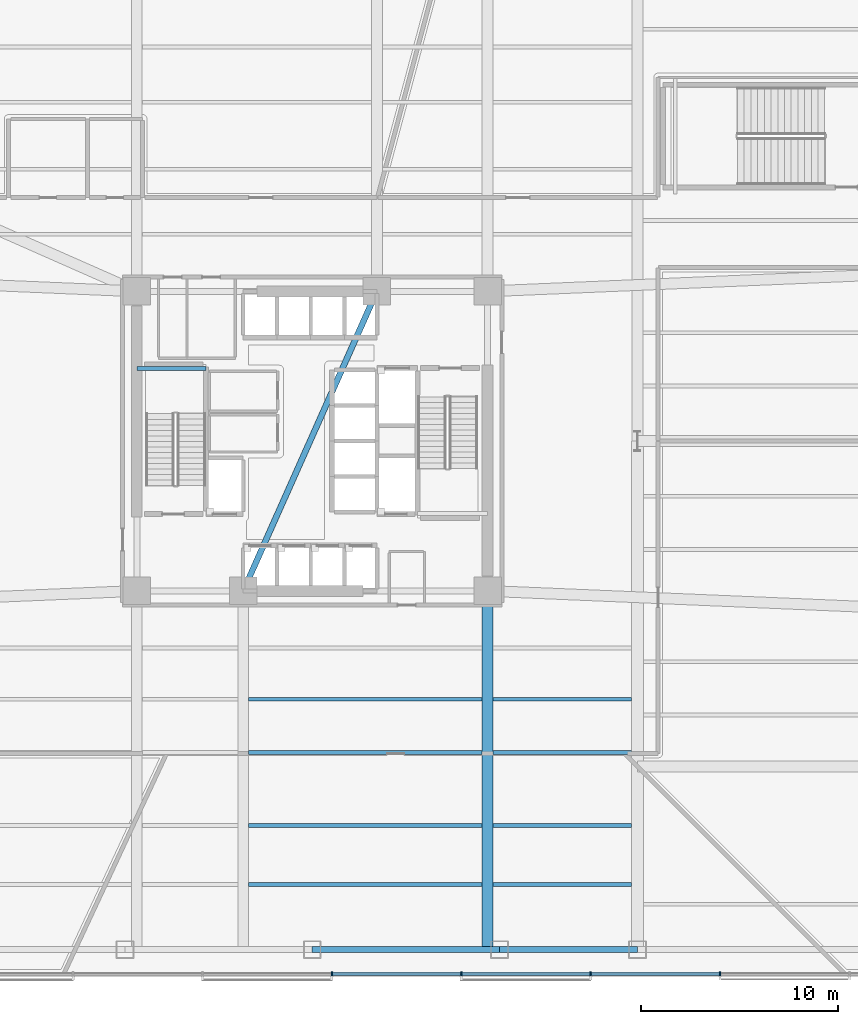
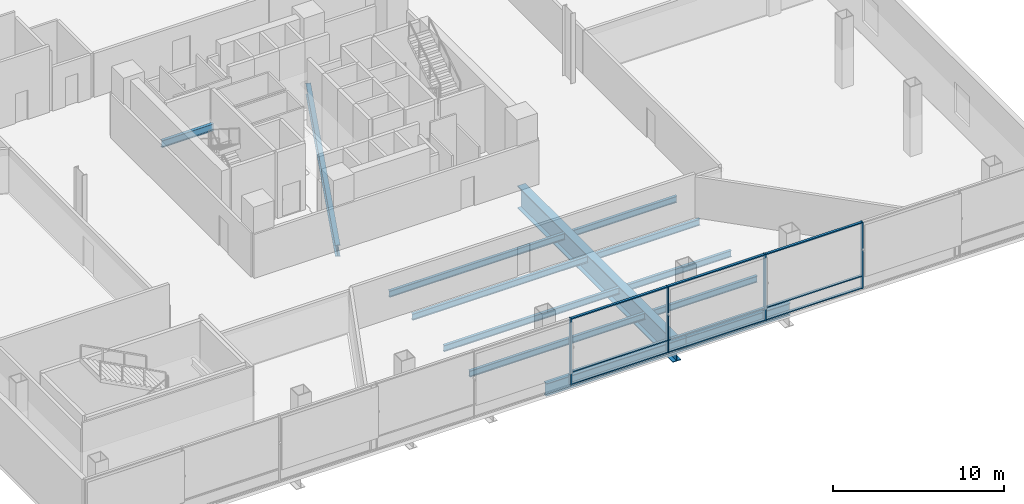
# One storey, part 3 of 24: 13 beams, 13 members, 1 element without a shape of its own.
"""IFC4 building model written with IfcOpenShell, lengths in metres."""

from ifc_helpers import new_model, si_unit, direction, frame, origin, origin_2d, place, context, subcontext, project, spatial, rectangle, i_section, extrude, material, layer, layer_set, material_profile, profile_set, type_object, element, aggregate, save


model = new_model("IFC4")

# Units and contexts
model_context = context("Model", 3, precision=1e-05, world=origin(), true_north=direction((0.0, 1.0)))
body_context = subcontext(model_context, "Body", "Model", "MODEL_VIEW")
ifc_project = project(units=[si_unit("LENGTHUNIT", "METRE"), si_unit("AREAUNIT", "SQUARE_METRE"), si_unit("VOLUMEUNIT", "CUBIC_METRE"), si_unit("PLANEANGLEUNIT", "RADIAN"), si_unit("MASSUNIT", "GRAM", prefix="KILO")], contexts=[model_context])

# Site, building, storey
site_placement = place(None, origin())
site = spatial("IfcSite", under=ifc_project, at=site_placement, CompositionType="ELEMENT")
building_placement = place(site_placement, origin())
building = spatial("IfcBuilding", under=site, at=building_placement, Name="Tharavind Bronze Gate", CompositionType="ELEMENT")
storey_placement = place(building_placement, frame((0.0, 0.0, 21.5)))
storey = spatial("IfcBuildingStorey", under=building, at=storey_placement, Name="L04", CompositionType="ELEMENT", Elevation=21.5)

# Curtain wall, members
ifc_material_1 = material(Name="Anodised Bronze Aluminium", Category="aluminium")
ifc_layer = layer(ifc_material_1, 0.219970703125)
ifc_layer_set = layer_set([ifc_layer], Name="Anodised Bronze Aluminium")
curtain_wall_type = type_object("IfcCurtainWallType", Name="UNITISED CURTAIN WALL PODIUM", PredefinedType="USERDEFINED", material=ifc_layer_set)
curtain_wall_placement = place(storey_placement, origin())
curtain_wall = element("IfcCurtainWall", 1, at=curtain_wall_placement, inside=storey, type_object=curtain_wall_type, Name="L04 unitised curtain wall podium CW-L04-S1", ObjectType="UNITISED CURTAIN WALL", PredefinedType="USERDEFINED")
member_type_1 = type_object("IfcMemberType", Name="CURTAIN WALL MULLION 80X220", PredefinedType="MULLION", material=ifc_material_1)
member_1_placement = place(storey_placement, frame((1.0, -27.02001953125, 0.0), z_axis=(0.0, 0.0, 1.0), x_axis=(1.0, 0.0, 0.0)))
member_1 = element("IfcMember", 2, at=member_1_placement, type_object=member_type_1, Name="CW-L04-S1 mullion 6", PredefinedType="MULLION", context=body_context, shape_type="SweptSolid", body=[
    extrude(rectangle(XDim=0.080078125, YDim=0.219970703125, at=origin_2d()), origin(), (0.0, 0.0, 1.0), 4.739990234375),
])
member_2_placement = place(storey_placement, frame((7.56396484375, -27.02001953125, 0.0), z_axis=(0.0, 0.0, 1.0), x_axis=(1.0, 0.0, 0.0)))
member_2 = element("IfcMember", 3, at=member_2_placement, type_object=member_type_1, Name="CW-L04-S1 mullion 7", PredefinedType="MULLION", context=body_context, shape_type="SweptSolid", body=[
    extrude(rectangle(XDim=0.080078125, YDim=0.219970703125, at=origin_2d()), origin(), (0.0, 0.0, 1.0), 4.739990234375),
])
member_3_placement = place(storey_placement, frame((14.1279296875, -27.02001953125, 0.0), z_axis=(0.0, 0.0, 1.0), x_axis=(1.0, 0.0, 0.0)))
member_3 = element("IfcMember", 4, at=member_3_placement, type_object=member_type_1, Name="CW-L04-S1 mullion 8", PredefinedType="MULLION", context=body_context, shape_type="SweptSolid", body=[
    extrude(rectangle(XDim=0.080078125, YDim=0.219970703125, at=origin_2d()), origin(), (0.0, 0.0, 1.0), 4.739990234375),
])
member_4_placement = place(storey_placement, frame((20.69189453125, -27.02001953125, 0.0), z_axis=(0.0, 0.0, 1.0), x_axis=(1.0, 0.0, 0.0)))
member_4 = element("IfcMember", 5, at=member_4_placement, type_object=member_type_1, Name="CW-L04-S1 mullion 9", PredefinedType="MULLION", context=body_context, shape_type="SweptSolid", body=[
    extrude(rectangle(XDim=0.080078125, YDim=0.219970703125, at=origin_2d()), origin(), (0.0, 0.0, 1.0), 4.739990234375),
])
member_type_2 = type_object("IfcMemberType", Name="CURTAIN WALL TRANSOM 80X160", PredefinedType="USERDEFINED", material=ifc_material_1)
member_5_placement = place(storey_placement, frame((4.281982421875, -27.02001953125, 0.0), z_axis=(0.0, 0.0, 1.0), x_axis=(1.0, 0.0, 0.0)))
member_5 = element("IfcMember", 6, at=member_5_placement, type_object=member_type_2, Name="CW-L04-S1 transom TB6", ObjectType="TRANSOM", PredefinedType="USERDEFINED", context=body_context, shape_type="SweptSolid", body=[
    extrude(rectangle(XDim=6.49609375, YDim=0.159912109375, at=origin_2d()), origin(), (0.0, 0.0, 1.0), 0.080078125),
])
member_6_placement = place(storey_placement, frame((4.281982421875, -27.02001953125, 0.85986328125), z_axis=(0.0, 0.0, 1.0), x_axis=(1.0, 0.0, 0.0)))
member_6 = element("IfcMember", 7, at=member_6_placement, type_object=member_type_2, Name="CW-L04-S1 transom TS6", ObjectType="TRANSOM", PredefinedType="USERDEFINED", context=body_context, shape_type="SweptSolid", body=[
    extrude(rectangle(XDim=6.49609375, YDim=0.159912109375, at=origin_2d()), origin(), (0.0, 0.0, 1.0), 0.080078125),
])
member_7_placement = place(storey_placement, frame((4.281982421875, -27.02001953125, 4.659912109375), z_axis=(0.0, 0.0, 1.0), x_axis=(1.0, 0.0, 0.0)))
member_7 = element("IfcMember", 8, at=member_7_placement, type_object=member_type_2, Name="CW-L04-S1 transom TT6", ObjectType="TRANSOM", PredefinedType="USERDEFINED", context=body_context, shape_type="SweptSolid", body=[
    extrude(rectangle(XDim=6.49609375, YDim=0.159912109375, at=origin_2d()), origin(), (0.0, 0.0, 1.0), 0.080078125),
])
member_8_placement = place(storey_placement, frame((10.845947265625, -27.02001953125, 0.0), z_axis=(0.0, 0.0, 1.0), x_axis=(1.0, 0.0, 0.0)))
member_8 = element("IfcMember", 9, at=member_8_placement, type_object=member_type_2, Name="CW-L04-S1 transom TB7", ObjectType="TRANSOM", PredefinedType="USERDEFINED", context=body_context, shape_type="SweptSolid", body=[
    extrude(rectangle(XDim=6.49609375, YDim=0.159912109375, at=origin_2d()), origin(), (0.0, 0.0, 1.0), 0.080078125),
])
member_9_placement = place(storey_placement, frame((10.845947265625, -27.02001953125, 0.85986328125), z_axis=(0.0, 0.0, 1.0), x_axis=(1.0, 0.0, 0.0)))
member_9 = element("IfcMember", 10, at=member_9_placement, type_object=member_type_2, Name="CW-L04-S1 transom TS7", ObjectType="TRANSOM", PredefinedType="USERDEFINED", context=body_context, shape_type="SweptSolid", body=[
    extrude(rectangle(XDim=6.49609375, YDim=0.159912109375, at=origin_2d()), origin(), (0.0, 0.0, 1.0), 0.080078125),
])
member_10_placement = place(storey_placement, frame((10.845947265625, -27.02001953125, 4.659912109375), z_axis=(0.0, 0.0, 1.0), x_axis=(1.0, 0.0, 0.0)))
member_10 = element("IfcMember", 11, at=member_10_placement, type_object=member_type_2, Name="CW-L04-S1 transom TT7", ObjectType="TRANSOM", PredefinedType="USERDEFINED", context=body_context, shape_type="SweptSolid", body=[
    extrude(rectangle(XDim=6.49609375, YDim=0.159912109375, at=origin_2d()), origin(), (0.0, 0.0, 1.0), 0.080078125),
])
member_11_placement = place(storey_placement, frame((17.409912109375, -27.02001953125, 0.0), z_axis=(0.0, 0.0, 1.0), x_axis=(1.0, 0.0, 0.0)))
member_11 = element("IfcMember", 12, at=member_11_placement, type_object=member_type_2, Name="CW-L04-S1 transom TB8", ObjectType="TRANSOM", PredefinedType="USERDEFINED", context=body_context, shape_type="SweptSolid", body=[
    extrude(rectangle(XDim=6.49609375, YDim=0.159912109375, at=origin_2d()), origin(), (0.0, 0.0, 1.0), 0.080078125),
])
member_12_placement = place(storey_placement, frame((17.409912109375, -27.02001953125, 0.85986328125), z_axis=(0.0, 0.0, 1.0), x_axis=(1.0, 0.0, 0.0)))
member_12 = element("IfcMember", 13, at=member_12_placement, type_object=member_type_2, Name="CW-L04-S1 transom TS8", ObjectType="TRANSOM", PredefinedType="USERDEFINED", context=body_context, shape_type="SweptSolid", body=[
    extrude(rectangle(XDim=6.49609375, YDim=0.159912109375, at=origin_2d()), origin(), (0.0, 0.0, 1.0), 0.080078125),
])
member_13_placement = place(storey_placement, frame((17.409912109375, -27.02001953125, 4.659912109375), z_axis=(0.0, 0.0, 1.0), x_axis=(1.0, 0.0, 0.0)))
member_13 = element("IfcMember", 14, at=member_13_placement, type_object=member_type_2, Name="CW-L04-S1 transom TT8", ObjectType="TRANSOM", PredefinedType="USERDEFINED", context=body_context, shape_type="SweptSolid", body=[
    extrude(rectangle(XDim=6.49609375, YDim=0.159912109375, at=origin_2d()), origin(), (0.0, 0.0, 1.0), 0.080078125),
])
aggregate(curtain_wall, [member_1, member_2, member_3, member_4, member_5, member_6, member_7, member_8, member_9, member_10, member_11, member_12, member_13])

# Beams
ifc_material_2 = material(Name="Steel S355", Category="steel")
ifc_material_profile_1 = material_profile(ifc_material_2, i_section(OverallWidth=0.199951171875, OverallDepth=0.5, WebThickness=0.01025390625, FlangeThickness=0.01611328125, at=origin_2d()), Name="IPE500")
ifc_profile_set_1 = profile_set([ifc_material_profile_1], Name="Steel S355")
beam_type_1 = type_object("IfcBeamType", Name="PRIMARY GIRDER IPE500", PredefinedType="USERDEFINED", material=ifc_profile_set_1)
beam_1_placement = place(storey_placement, frame((-8.89990234375, 3.679931640625, 2.050048828125), z_axis=(1.0, 0.0, 0.0), x_axis=(0.0, 1.0, 0.0)))
element("IfcBeam", 15, at=beam_1_placement, inside=storey, type_object=beam_type_1, Name="L04 primary girder ipe500 BM-LD-ST1-L04-1", ObjectType="GIRDER", PredefinedType="USERDEFINED", context=body_context, shape_type="SweptSolid", body=[
    extrude(i_section(OverallWidth=0.199951171875, OverallDepth=0.5, WebThickness=0.01025390625, FlangeThickness=0.01611328125, at=origin_2d()), origin(), (0.0, 0.0, 1.0), 3.5),
])
ifc_material_profile_2 = material_profile(ifc_material_2, i_section(OverallWidth=0.300048828125, OverallDepth=0.800048828125, WebThickness=0.017578125, FlangeThickness=0.032958984375, at=origin_2d()), Name="HE800B")
ifc_profile_set_2 = profile_set([ifc_material_profile_2], Name="Steel S355")
beam_type_2 = type_object("IfcBeamType", Name="RING GIRDER HE800B", PredefinedType="USERDEFINED", material=ifc_profile_set_2)
beam_2_placement = place(storey_placement, frame((-3.5, -7.60009765625, -0.659912109375), z_axis=(0.407361644566, 0.913266932795, 0.0), x_axis=(-0.913266932795, 0.407361644566, 0.0)))
element("IfcBeam", 16, at=beam_2_placement, inside=storey, type_object=beam_type_2, Name="L04 ring girder he800b BM-L04-CR7", ObjectType="GIRDER", PredefinedType="USERDEFINED", context=body_context, shape_type="SweptSolid", body=[
    extrude(i_section(OverallWidth=0.300048828125, OverallDepth=0.800048828125, WebThickness=0.017578125, FlangeThickness=0.032958984375, at=origin_2d()), origin(), (0.0, 0.0, 1.0), 16.643798828125),
])
ifc_material_profile_3 = material_profile(ifc_material_2, i_section(OverallWidth=0.18994140625, OverallDepth=0.449951171875, WebThickness=0.009521484375, FlangeThickness=0.0146484375, at=origin_2d()), Name="IPE450")
ifc_profile_set_3 = profile_set([ifc_material_profile_3], Name="Steel S355")
beam_type_3 = type_object("IfcBeamType", Name="SECONDARY FLOOR JOIST IPE450", PredefinedType="JOIST", material=ifc_profile_set_3)
beam_3_placement = place(storey_placement, frame((-3.222900390625, -22.5, -0.485107421875), z_axis=(1.0, 0.0, 0.0), x_axis=(0.0, 1.0, 0.0)))
element("IfcBeam", 17, at=beam_3_placement, inside=storey, type_object=beam_type_3, Name="L04 secondary floor joist ipe450 BM-L04-JSS1B", PredefinedType="JOIST", context=body_context, shape_type="SweptSolid", body=[
    extrude(i_section(OverallWidth=0.18994140625, OverallDepth=0.449951171875, WebThickness=0.009521484375, FlangeThickness=0.0146484375, at=origin_2d()), origin(), (0.0, 0.0, 1.0), 11.845947265625),
])
beam_4_placement = place(storey_placement, frame((9.177001953125, -22.5, -0.485107421875), z_axis=(1.0, 0.0, 0.0), x_axis=(0.0, 1.0, 0.0)))
element("IfcBeam", 18, at=beam_4_placement, inside=storey, type_object=beam_type_3, Name="L04 secondary floor joist ipe450 BM-L04-JSS1E", PredefinedType="JOIST", context=body_context, shape_type="SweptSolid", body=[
    extrude(i_section(OverallWidth=0.18994140625, OverallDepth=0.449951171875, WebThickness=0.009521484375, FlangeThickness=0.0146484375, at=origin_2d()), origin(), (0.0, 0.0, 1.0), 7.02099609375),
])
beam_5_placement = place(storey_placement, frame((-3.222900390625, -19.5, -0.485107421875), z_axis=(1.0, 0.0, 0.0), x_axis=(0.0, 1.0, 0.0)))
element("IfcBeam", 19, at=beam_5_placement, inside=storey, type_object=beam_type_3, Name="L04 secondary floor joist ipe450 BM-L04-JSS2B", PredefinedType="JOIST", context=body_context, shape_type="SweptSolid", body=[
    extrude(i_section(OverallWidth=0.18994140625, OverallDepth=0.449951171875, WebThickness=0.009521484375, FlangeThickness=0.0146484375, at=origin_2d()), origin(), (0.0, 0.0, 1.0), 11.845947265625),
])
beam_6_placement = place(storey_placement, frame((9.177001953125, -19.5, -0.485107421875), z_axis=(1.0, 0.0, 0.0), x_axis=(0.0, 1.0, 0.0)))
element("IfcBeam", 20, at=beam_6_placement, inside=storey, type_object=beam_type_3, Name="L04 secondary floor joist ipe450 BM-L04-JSS2E", PredefinedType="JOIST", context=body_context, shape_type="SweptSolid", body=[
    extrude(i_section(OverallWidth=0.18994140625, OverallDepth=0.449951171875, WebThickness=0.009521484375, FlangeThickness=0.0146484375, at=origin_2d()), origin(), (0.0, 0.0, 1.0), 7.02099609375),
])
beam_7_placement = place(storey_placement, frame((-3.222900390625, -15.800048828125, -0.485107421875), z_axis=(1.0, 0.0, 0.0), x_axis=(0.0, 1.0, 0.0)))
element("IfcBeam", 21, at=beam_7_placement, inside=storey, type_object=beam_type_3, Name="L04 secondary floor joist ipe450 BM-L04-JSS3B", PredefinedType="JOIST", context=body_context, shape_type="SweptSolid", body=[
    extrude(i_section(OverallWidth=0.18994140625, OverallDepth=0.449951171875, WebThickness=0.009521484375, FlangeThickness=0.0146484375, at=origin_2d()), origin(), (0.0, 0.0, 1.0), 11.845947265625),
])
beam_8_placement = place(storey_placement, frame((9.177001953125, -15.800048828125, -0.485107421875), z_axis=(1.0, 0.0, 0.0), x_axis=(0.0, 1.0, 0.0)))
element("IfcBeam", 22, at=beam_8_placement, inside=storey, type_object=beam_type_3, Name="L04 secondary floor joist ipe450 BM-L04-JSS3E", PredefinedType="JOIST", context=body_context, shape_type="SweptSolid", body=[
    extrude(i_section(OverallWidth=0.18994140625, OverallDepth=0.449951171875, WebThickness=0.009521484375, FlangeThickness=0.0146484375, at=origin_2d()), origin(), (0.0, 0.0, 1.0), 7.02099609375),
])
beam_9_placement = place(storey_placement, frame((-3.222900390625, -13.10009765625, -0.485107421875), z_axis=(1.0, 0.0, 0.0), x_axis=(0.0, 1.0, 0.0)))
element("IfcBeam", 23, at=beam_9_placement, inside=storey, type_object=beam_type_3, Name="L04 secondary floor joist ipe450 BM-L04-JSS4B", PredefinedType="JOIST", context=body_context, shape_type="SweptSolid", body=[
    extrude(i_section(OverallWidth=0.18994140625, OverallDepth=0.449951171875, WebThickness=0.009521484375, FlangeThickness=0.0146484375, at=origin_2d()), origin(), (0.0, 0.0, 1.0), 11.845947265625),
])
beam_10_placement = place(storey_placement, frame((9.177001953125, -13.10009765625, -0.485107421875), z_axis=(1.0, 0.0, 0.0), x_axis=(0.0, 1.0, 0.0)))
element("IfcBeam", 24, at=beam_10_placement, inside=storey, type_object=beam_type_3, Name="L04 secondary floor joist ipe450 BM-L04-JSS4E", PredefinedType="JOIST", context=body_context, shape_type="SweptSolid", body=[
    extrude(i_section(OverallWidth=0.18994140625, OverallDepth=0.449951171875, WebThickness=0.009521484375, FlangeThickness=0.0146484375, at=origin_2d()), origin(), (0.0, 0.0, 1.0), 7.02099609375),
])
ifc_material_profile_4 = material_profile(ifc_material_2, i_section(OverallWidth=0.300048828125, OverallDepth=0.89990234375, WebThickness=0.0185546875, FlangeThickness=0.034912109375, at=origin_2d()), Name="HE900B")
ifc_profile_set_4 = profile_set([ifc_material_profile_4], Name="Steel S355")
beam_type_4 = type_object("IfcBeamType", Name="SPANDREL RING BEAM HE900B", PredefinedType="SPANDREL", material=ifc_profile_set_4)
beam_11_placement = place(storey_placement, frame((0.0, -25.800048828125, -0.7099609375), z_axis=(1.0, 0.0, 0.0), x_axis=(0.0, 1.0, 0.0)))
element("IfcBeam", 25, at=beam_11_placement, inside=storey, type_object=beam_type_4, Name="L04 spandrel ring beam he900b BM-L04-PS4", PredefinedType="SPANDREL", context=body_context, shape_type="SweptSolid", body=[
    extrude(i_section(OverallWidth=0.300048828125, OverallDepth=0.89990234375, WebThickness=0.0185546875, FlangeThickness=0.034912109375, at=origin_2d()), origin(), (0.0, 0.0, 1.0), 9.5),
])
beam_12_placement = place(storey_placement, frame((9.5, -25.800048828125, -0.7099609375), z_axis=(1.0, 0.0, 0.0), x_axis=(0.0, 1.0, 0.0)))
element("IfcBeam", 26, at=beam_12_placement, inside=storey, type_object=beam_type_4, Name="L04 spandrel ring beam he900b BM-L04-PS5", PredefinedType="SPANDREL", context=body_context, shape_type="SweptSolid", body=[
    extrude(i_section(OverallWidth=0.300048828125, OverallDepth=0.89990234375, WebThickness=0.0185546875, FlangeThickness=0.034912109375, at=origin_2d()), origin(), (0.0, 0.0, 1.0), 7.0),
])
ifc_material_3 = material(Name="Steel S460", Category="steel")
ifc_material_profile_5 = material_profile(ifc_material_3, i_section(OverallWidth=0.550048828125, OverallDepth=1.60009765625, WebThickness=0.030029296875, FlangeThickness=0.050048828125, at=origin_2d()), Name="PG1600X550")
ifc_profile_set_5 = profile_set([ifc_material_profile_5], Name="Steel S460")
beam_type_5 = type_object("IfcBeamType", Name="TRANSFER GIRDER 1600X550", PredefinedType="USERDEFINED", material=ifc_profile_set_5)
beam_13_placement = place(storey_placement, frame((8.89990234375, -25.800048828125, -1.06005859375), z_axis=(0.0, 1.0, 0.0), x_axis=(-1.0, 0.0, 0.0)))
element("IfcBeam", 27, at=beam_13_placement, inside=storey, type_object=beam_type_5, Name="L04 transfer girder 1600x550 BM-L04-GS4", ObjectType="TRANSFER GIRDER", PredefinedType="USERDEFINED", context=body_context, shape_type="SweptSolid", body=[
    extrude(i_section(OverallWidth=0.550048828125, OverallDepth=1.60009765625, WebThickness=0.030029296875, FlangeThickness=0.050048828125, at=origin_2d()), origin(), (0.0, 0.0, 1.0), 18.199951171875),
])

save(model, "model.ifc")
